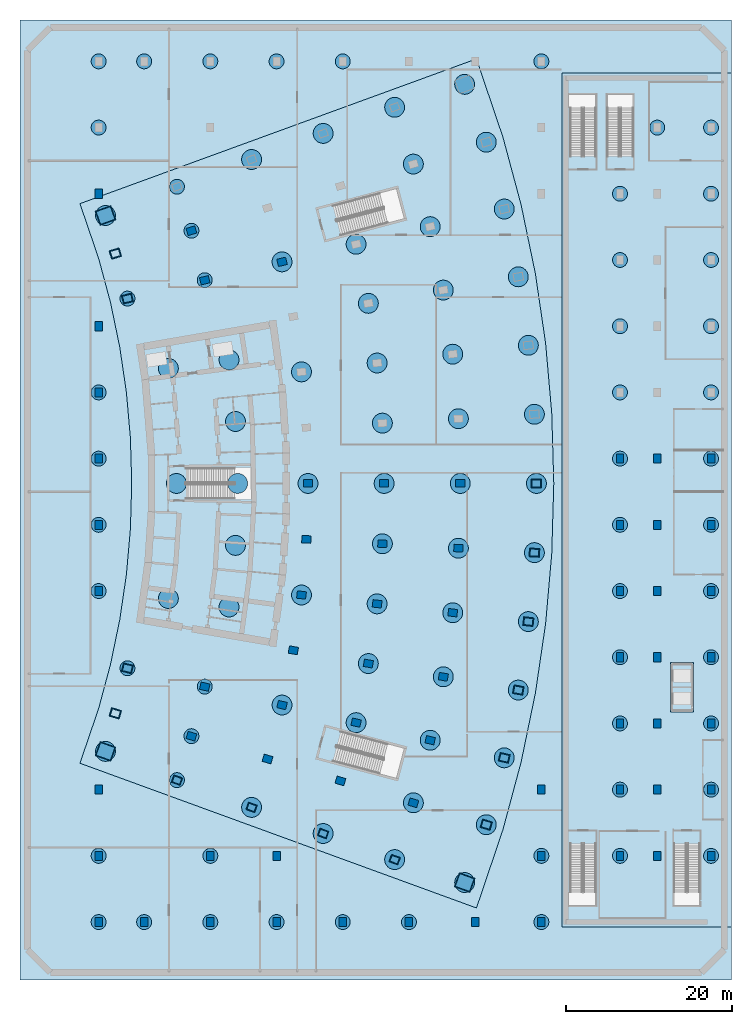
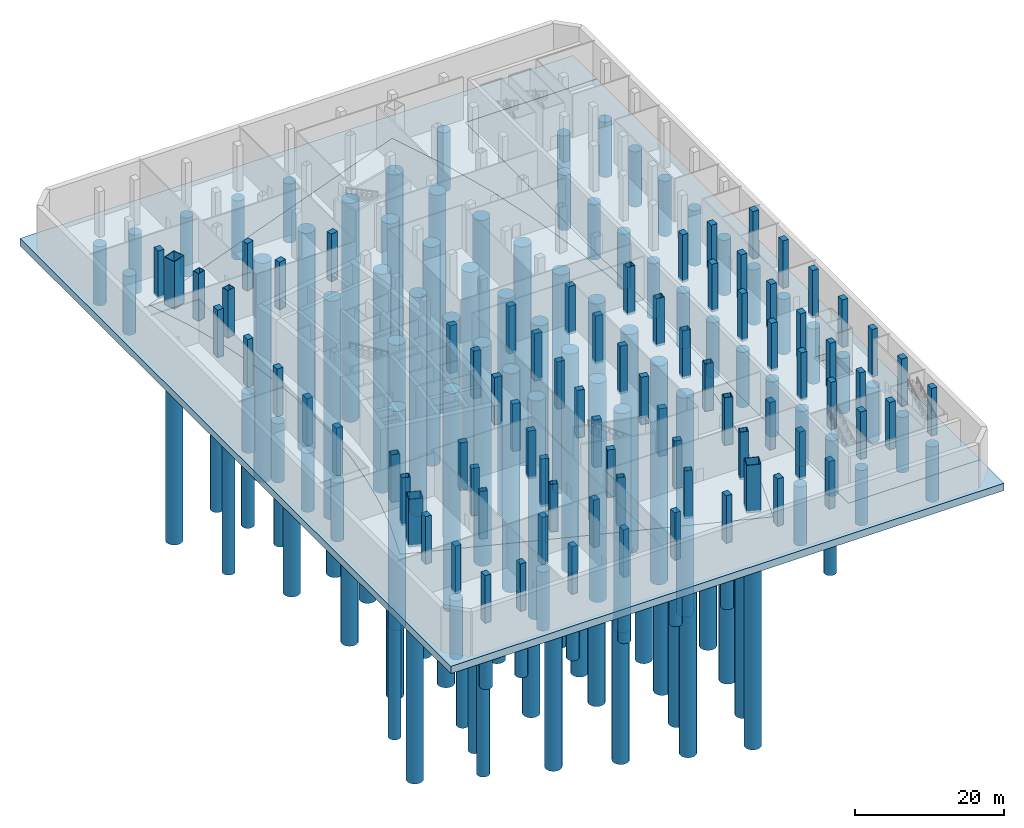
# One storey, part 1 of 19: 107 piles, 81 columns, 4 footings.
"""IFC4 building model written with IfcOpenShell, lengths in metres."""

from ifc_helpers import new_model, si_unit, direction, frame, origin, origin_2d, place, context, subcontext, project, spatial, polyline, rectangle, hollow_rectangle, circle, outline, extrude, material, layer, layer_set, material_profile, profile_set, type_object, element, save


model = new_model("IFC4")

# Units and contexts
model_context = context("Model", 3, precision=1e-05, world=origin(), true_north=direction((0.0, 1.0)))
body_context = subcontext(model_context, "Body", "Model", "MODEL_VIEW")
ifc_project = project(units=[si_unit("LENGTHUNIT", "METRE"), si_unit("AREAUNIT", "SQUARE_METRE"), si_unit("VOLUMEUNIT", "CUBIC_METRE"), si_unit("PLANEANGLEUNIT", "RADIAN"), si_unit("MASSUNIT", "GRAM", prefix="KILO")], contexts=[model_context])

# Site, building, storey
site_placement = place(None, origin())
site = spatial("IfcSite", under=ifc_project, at=site_placement, CompositionType="ELEMENT")
building_placement = place(site_placement, origin())
building = spatial("IfcBuilding", under=site, at=building_placement, Name="Alderwake Tower", CompositionType="ELEMENT")
storey_placement = place(building_placement, frame((0.0, 0.0, -14.0)))
storey = spatial("IfcBuildingStorey", under=building, at=storey_placement, Name="B2", CompositionType="ELEMENT", Elevation=-14.0)

# Piles
ifc_material_1 = material(Name="Concrete C40/50", Category="concrete")
ifc_material_profile_1 = material_profile(ifc_material_1, circle(Radius=0.89990234375, at=origin_2d()), Name="PILE 1800")
ifc_profile_set_1 = profile_set([ifc_material_profile_1], Name="Concrete C40/50")
pile_type_1 = type_object("IfcPileType", Name="Bored pile D1800", PredefinedType="BORED", material=ifc_profile_set_1)
for number, where, z_axis, x_axis, name in (
    (1, (13.982177734375, 38.6640625, -3.14990234375), (0.0, 0.0, -1.0), (1.0, 0.0, 0.0), "Caisson 3"),
    (2, (13.982177734375, 83.3359375, -3.14990234375), (0.0, 0.0, -1.0), (1.0, 0.0, 0.0), "Caisson 4"),
    (3, (19.965576171875, 25.1484375, -3.14990234375), (0.0, 0.0, -1.0), (1.0, 0.0, 0.0), "Caisson 8"),
    (4, (19.965576171875, 96.8515625, -3.14990234375), (0.0, 0.0, -1.0), (1.0, 0.0, 0.0), "Caisson 9"),
    (5, (21.714599609375, 30.46240234375, -3.14990234375), (0.0, 0.0, -1.0), (1.0, 0.0, 0.0), "Caisson 10"),
    (6, (21.714599609375, 91.53759765625, -3.14990234375), (0.0, 0.0, -1.0), (1.0, 0.0, 0.0), "Caisson 11"),
    (7, (23.322021484375, 36.444091796875, -3.14990234375), (0.0, 0.0, -1.0), (1.0, 0.0, 0.0), "Caisson 12"),
    (8, (23.322021484375, 85.555908203125, -3.14990234375), (0.0, 0.0, -1.0), (1.0, 0.0, 0.0), "Caisson 13"),
):
    element("IfcPile", number, at=place(storey_placement, frame(where, z_axis=z_axis, x_axis=x_axis)), inside=storey, type_object=pile_type_1, Name=name, PredefinedType="BORED", context=body_context, shape_type="SweptSolid", body=[
        extrude(circle(Radius=0.89990234375, at=origin_2d()), origin(), (0.0, 0.0, 1.0), 36.0),
    ])
for number, where, z_axis, x_axis, name in (
    (9, (73.5, 16.0, -1.949951171875), (0.0, 0.0, -1.0), (1.0, 0.0, 0.0), "Caisson 63"),
    (10, (73.5, 24.0, -1.949951171875), (0.0, 0.0, -1.0), (1.0, 0.0, 0.0), "Caisson 64"),
    (11, (73.5, 32.0, -1.949951171875), (0.0, 0.0, -1.0), (1.0, 0.0, 0.0), "Caisson 65"),
    (12, (73.5, 40.0, -1.949951171875), (0.0, 0.0, -1.0), (1.0, 0.0, 0.0), "Caisson 66"),
    (13, (73.5, 48.0, -1.949951171875), (0.0, 0.0, -1.0), (1.0, 0.0, 0.0), "Caisson 67"),
    (14, (73.5, 56.0, -1.949951171875), (0.0, 0.0, -1.0), (1.0, 0.0, 0.0), "Caisson 68"),
    (15, (73.5, 64.0, -1.949951171875), (0.0, 0.0, -1.0), (1.0, 0.0, 0.0), "Caisson 69"),
    (16, (73.5, 72.0, -1.949951171875), (0.0, 0.0, -1.0), (1.0, 0.0, 0.0), "Caisson 70"),
    (17, (73.5, 80.0, -1.949951171875), (0.0, 0.0, -1.0), (1.0, 0.0, 0.0), "Caisson 71"),
    (18, (73.5, 88.0, -1.949951171875), (0.0, 0.0, -1.0), (1.0, 0.0, 0.0), "Caisson 72"),
    (19, (73.5, 96.0, -1.949951171875), (0.0, 0.0, -1.0), (1.0, 0.0, 0.0), "Caisson 73"),
    (20, (78.0, 104.0, -1.949951171875), (0.0, 0.0, -1.0), (1.0, 0.0, 0.0), "Caisson 74"),
    (21, (84.5, 16.0, -1.949951171875), (0.0, 0.0, -1.0), (1.0, 0.0, 0.0), "Caisson 75"),
    (22, (84.5, 24.0, -1.949951171875), (0.0, 0.0, -1.0), (1.0, 0.0, 0.0), "Caisson 76"),
    (23, (84.5, 32.0, -1.949951171875), (0.0, 0.0, -1.0), (1.0, 0.0, 0.0), "Caisson 77"),
    (24, (84.5, 40.0, -1.949951171875), (0.0, 0.0, -1.0), (1.0, 0.0, 0.0), "Caisson 78"),
    (25, (84.5, 48.0, -1.949951171875), (0.0, 0.0, -1.0), (1.0, 0.0, 0.0), "Caisson 79"),
    (26, (84.5, 56.0, -1.949951171875), (0.0, 0.0, -1.0), (1.0, 0.0, 0.0), "Caisson 80"),
    (27, (84.5, 64.0, -1.949951171875), (0.0, 0.0, -1.0), (1.0, 0.0, 0.0), "Caisson 81"),
    (28, (84.5, 72.0, -1.949951171875), (0.0, 0.0, -1.0), (1.0, 0.0, 0.0), "Caisson 82"),
    (29, (84.5, 80.0, -1.949951171875), (0.0, 0.0, -1.0), (1.0, 0.0, 0.0), "Caisson 83"),
    (30, (84.5, 88.0, -1.949951171875), (0.0, 0.0, -1.0), (1.0, 0.0, 0.0), "Caisson 84"),
    (31, (84.5, 96.0, -1.949951171875), (0.0, 0.0, -1.0), (1.0, 0.0, 0.0), "Caisson 85"),
    (32, (84.5, 104.0, -1.949951171875), (0.0, 0.0, -1.0), (1.0, 0.0, 0.0), "Caisson 86"),
):
    element("IfcPile", number, at=place(storey_placement, frame(where, z_axis=z_axis, x_axis=x_axis)), inside=storey, type_object=pile_type_1, Name=name, PredefinedType="BORED", context=body_context, shape_type="SweptSolid", body=[
        extrude(circle(Radius=0.89990234375, at=origin_2d()), origin(), (0.0, 0.0, 1.0), 9.10009765625),
    ])
for number, where, z_axis, x_axis, name in (
    (33, (10.5, 8.0, -1.35009765625), (0.0, 0.0, -1.0), (1.0, 0.0, 0.0), "Caisson 87"),
    (34, (10.5, 16.0, -1.35009765625), (0.0, 0.0, -1.0), (1.0, 0.0, 0.0), "Caisson 88"),
    (35, (10.5, 48.0, -1.35009765625), (0.0, 0.0, -1.0), (1.0, 0.0, 0.0), "Caisson 89"),
    (36, (10.5, 56.0, -1.35009765625), (0.0, 0.0, -1.0), (1.0, 0.0, 0.0), "Caisson 90"),
    (37, (10.5, 64.0, -1.35009765625), (0.0, 0.0, -1.0), (1.0, 0.0, 0.0), "Caisson 91"),
    (38, (10.5, 72.0, -1.35009765625), (0.0, 0.0, -1.0), (1.0, 0.0, 0.0), "Caisson 92"),
    (39, (10.5, 104.0, -1.35009765625), (0.0, 0.0, -1.0), (1.0, 0.0, 0.0), "Caisson 93"),
    (40, (10.5, 112.0, -1.35009765625), (0.0, 0.0, -1.0), (1.0, 0.0, 0.0), "Caisson 94"),
    (41, (16.0, 8.0, -1.35009765625), (0.0, 0.0, -1.0), (1.0, 0.0, 0.0), "Caisson 95"),
    (42, (16.0, 112.0, -1.35009765625), (0.0, 0.0, -1.0), (1.0, 0.0, 0.0), "Caisson 96"),
    (43, (24.0, 8.0, -1.35009765625), (0.0, 0.0, -1.0), (1.0, 0.0, 0.0), "Caisson 97"),
    (44, (24.0, 16.0, -1.35009765625), (0.0, 0.0, -1.0), (1.0, 0.0, 0.0), "Caisson 98"),
    (45, (24.0, 112.0, -1.35009765625), (0.0, 0.0, -1.0), (1.0, 0.0, 0.0), "Caisson 99"),
    (46, (32.0, 8.0, -1.35009765625), (0.0, 0.0, -1.0), (1.0, 0.0, 0.0), "Caisson 100"),
    (47, (32.0, 112.0, -1.35009765625), (0.0, 0.0, -1.0), (1.0, 0.0, 0.0), "Caisson 101"),
    (48, (40.0, 8.0, -1.35009765625), (0.0, 0.0, -1.0), (1.0, 0.0, 0.0), "Caisson 102"),
    (49, (40.0, 112.0, -1.35009765625), (0.0, 0.0, -1.0), (1.0, 0.0, 0.0), "Caisson 103"),
    (50, (48.0, 8.0, -1.35009765625), (0.0, 0.0, -1.0), (1.0, 0.0, 0.0), "Caisson 104"),
    (51, (64.0, 8.0, -1.35009765625), (0.0, 0.0, -1.0), (1.0, 0.0, 0.0), "Caisson 105"),
    (52, (64.0, 16.0, -1.35009765625), (0.0, 0.0, -1.0), (1.0, 0.0, 0.0), "Caisson 106"),
    (53, (64.0, 112.0, -1.35009765625), (0.0, 0.0, -1.0), (1.0, 0.0, 0.0), "Caisson 107"),
):
    element("IfcPile", number, at=place(storey_placement, frame(where, z_axis=z_axis, x_axis=x_axis)), inside=storey, type_object=pile_type_1, Name=name, PredefinedType="BORED", context=body_context, shape_type="SweptSolid", body=[
        extrude(circle(Radius=0.89990234375, at=origin_2d()), origin(), (0.0, 0.0, 1.0), 9.699951171875),
    ])
ifc_material_2 = material(Name="Concrete C40/50", Category="concrete")
ifc_material_profile_2 = material_profile(ifc_material_2, circle(Radius=1.199951171875, at=origin_2d()), Name="PILE 2400")
ifc_profile_set_2 = profile_set([ifc_material_profile_2], Name="Concrete C40/50")
pile_type_2 = type_object("IfcPileType", Name="Bored pile D2400", PredefinedType="BORED", material=ifc_profile_set_2)
for number, where, z_axis, x_axis, name in (
    (54, (11.330810546875, 28.622802734375, -3.14990234375), (0.0, 0.0, -1.0), (1.0, 0.0, 0.0), "Caisson 1"),
    (55, (11.330810546875, 93.377197265625, -3.14990234375), (0.0, 0.0, -1.0), (1.0, 0.0, 0.0), "Caisson 2"),
    (56, (18.927978515625, 47.097412109375, -3.14990234375), (0.0, 0.0, -1.0), (1.0, 0.0, 0.0), "Caisson 5"),
    (57, (18.927978515625, 74.902587890625, -3.14990234375), (0.0, 0.0, -1.0), (1.0, 0.0, 0.0), "Caisson 6"),
    (58, (19.89990234375, 61.0, -3.14990234375), (0.0, 0.0, -1.0), (1.0, 0.0, 0.0), "Caisson 7"),
    (59, (26.255859375, 46.067626953125, -3.14990234375), (0.0, 0.0, -1.0), (1.0, 0.0, 0.0), "Caisson 14"),
    (60, (26.255859375, 75.932373046875, -3.14990234375), (0.0, 0.0, -1.0), (1.0, 0.0, 0.0), "Caisson 15"),
    (61, (27.038818359375, 53.515625, -3.14990234375), (0.0, 0.0, -1.0), (1.0, 0.0, 0.0), "Caisson 16"),
    (62, (27.038818359375, 68.484375, -3.14990234375), (0.0, 0.0, -1.0), (1.0, 0.0, 0.0), "Caisson 17"),
    (63, (27.300048828125, 61.0, -3.14990234375), (0.0, 0.0, -1.0), (1.0, 0.0, 0.0), "Caisson 18"),
    (64, (28.983642578125, 21.856689453125, -3.14990234375), (0.0, 0.0, -1.0), (1.0, 0.0, 0.0), "Caisson 19"),
    (65, (28.983642578125, 100.143310546875, -3.14990234375), (0.0, 0.0, -1.0), (1.0, 0.0, 0.0), "Caisson 20"),
    (66, (32.661865234375, 34.224609375, -3.14990234375), (0.0, 0.0, -1.0), (1.0, 0.0, 0.0), "Caisson 21"),
    (67, (32.661865234375, 87.775390625, -3.14990234375), (0.0, 0.0, -1.0), (1.0, 0.0, 0.0), "Caisson 22"),
    (68, (35.0126953125, 47.5205078125, -3.14990234375), (0.0, 0.0, -1.0), (1.0, 0.0, 0.0), "Caisson 23"),
    (69, (35.0126953125, 74.4794921875, -3.14990234375), (0.0, 0.0, -1.0), (1.0, 0.0, 0.0), "Caisson 24"),
    (70, (35.800048828125, 61.0, -3.14990234375), (0.0, 0.0, -1.0), (1.0, 0.0, 0.0), "Caisson 25"),
    (71, (37.6259765625, 18.701904296875, -3.14990234375), (0.0, 0.0, -1.0), (1.0, 0.0, 0.0), "Caisson 26"),
    (72, (37.6259765625, 103.298095703125, -3.14990234375), (0.0, 0.0, -1.0), (1.0, 0.0, 0.0), "Caisson 27"),
    (73, (41.612548828125, 32.097412109375, -3.14990234375), (0.0, 0.0, -1.0), (1.0, 0.0, 0.0), "Caisson 28"),
    (74, (41.612548828125, 89.902587890625, -3.14990234375), (0.0, 0.0, -1.0), (1.0, 0.0, 0.0), "Caisson 29"),
    (75, (43.0908203125, 39.236572265625, -3.14990234375), (0.0, 0.0, -1.0), (1.0, 0.0, 0.0), "Caisson 30"),
    (76, (43.0908203125, 82.763427734375, -3.14990234375), (0.0, 0.0, -1.0), (1.0, 0.0, 0.0), "Caisson 31"),
    (77, (44.150390625, 46.44970703125, -3.14990234375), (0.0, 0.0, -1.0), (1.0, 0.0, 0.0), "Caisson 32"),
    (78, (44.150390625, 75.55029296875, -3.14990234375), (0.0, 0.0, -1.0), (1.0, 0.0, 0.0), "Caisson 33"),
    (79, (44.787353515625, 53.71240234375, -3.14990234375), (0.0, 0.0, -1.0), (1.0, 0.0, 0.0), "Caisson 34"),
    (80, (44.787353515625, 68.28759765625, -3.14990234375), (0.0, 0.0, -1.0), (1.0, 0.0, 0.0), "Caisson 35"),
    (81, (45.0, 61.0, -3.14990234375), (0.0, 0.0, -1.0), (1.0, 0.0, 0.0), "Caisson 36"),
    (82, (46.268310546875, 15.547119140625, -3.14990234375), (0.0, 0.0, -1.0), (1.0, 0.0, 0.0), "Caisson 37"),
    (83, (46.268310546875, 106.452880859375, -3.14990234375), (0.0, 0.0, -1.0), (1.0, 0.0, 0.0), "Caisson 38"),
    (84, (48.5322265625, 22.410888671875, -3.14990234375), (0.0, 0.0, -1.0), (1.0, 0.0, 0.0), "Caisson 39"),
    (85, (48.5322265625, 99.589111328125, -3.14990234375), (0.0, 0.0, -1.0), (1.0, 0.0, 0.0), "Caisson 40"),
    (86, (50.563232421875, 29.969970703125, -3.14990234375), (0.0, 0.0, -1.0), (1.0, 0.0, 0.0), "Caisson 41"),
    (87, (50.563232421875, 92.030029296875, -3.14990234375), (0.0, 0.0, -1.0), (1.0, 0.0, 0.0), "Caisson 42"),
    (88, (52.150390625, 37.634765625, -3.14990234375), (0.0, 0.0, -1.0), (1.0, 0.0, 0.0), "Caisson 43"),
    (89, (52.150390625, 84.365234375, -3.14990234375), (0.0, 0.0, -1.0), (1.0, 0.0, 0.0), "Caisson 44"),
    (90, (53.28759765625, 45.37890625, -3.14990234375), (0.0, 0.0, -1.0), (1.0, 0.0, 0.0), "Caisson 45"),
    (91, (53.28759765625, 76.62109375, -3.14990234375), (0.0, 0.0, -1.0), (1.0, 0.0, 0.0), "Caisson 46"),
    (92, (53.9716796875, 53.176025390625, -3.14990234375), (0.0, 0.0, -1.0), (1.0, 0.0, 0.0), "Caisson 47"),
    (93, (53.9716796875, 68.823974609375, -3.14990234375), (0.0, 0.0, -1.0), (1.0, 0.0, 0.0), "Caisson 48"),
    (94, (54.199951171875, 61.0, -3.14990234375), (0.0, 0.0, -1.0), (1.0, 0.0, 0.0), "Caisson 49"),
    (95, (54.7294921875, 12.77587890625, -3.14990234375), (0.0, 0.0, -1.0), (1.0, 0.0, 0.0), "Caisson 50"),
    (96, (54.7294921875, 109.22412109375, -3.14990234375), (0.0, 0.0, -1.0), (1.0, 0.0, 0.0), "Caisson 51"),
    (97, (57.343505859375, 19.765380859375, -3.14990234375), (0.0, 0.0, -1.0), (1.0, 0.0, 0.0), "Caisson 52"),
    (98, (57.343505859375, 102.234619140625, -3.14990234375), (0.0, 0.0, -1.0), (1.0, 0.0, 0.0), "Caisson 53"),
    (99, (59.513916015625, 27.8427734375, -3.14990234375), (0.0, 0.0, -1.0), (1.0, 0.0, 0.0), "Caisson 54"),
    (100, (59.513916015625, 94.1572265625, -3.14990234375), (0.0, 0.0, -1.0), (1.0, 0.0, 0.0), "Caisson 55"),
    (101, (61.209716796875, 36.032958984375, -3.14990234375), (0.0, 0.0, -1.0), (1.0, 0.0, 0.0), "Caisson 56"),
    (102, (61.209716796875, 85.967041015625, -3.14990234375), (0.0, 0.0, -1.0), (1.0, 0.0, 0.0), "Caisson 57"),
    (103, (62.42529296875, 44.307861328125, -3.14990234375), (0.0, 0.0, -1.0), (1.0, 0.0, 0.0), "Caisson 58"),
    (104, (62.42529296875, 77.692138671875, -3.14990234375), (0.0, 0.0, -1.0), (1.0, 0.0, 0.0), "Caisson 59"),
    (105, (63.156005859375, 52.6396484375, -3.14990234375), (0.0, 0.0, -1.0), (1.0, 0.0, 0.0), "Caisson 60"),
    (106, (63.156005859375, 69.3603515625, -3.14990234375), (0.0, 0.0, -1.0), (1.0, 0.0, 0.0), "Caisson 61"),
    (107, (63.39990234375, 61.0, -3.14990234375), (0.0, 0.0, -1.0), (1.0, 0.0, 0.0), "Caisson 62"),
):
    element("IfcPile", number, at=place(storey_placement, frame(where, z_axis=z_axis, x_axis=x_axis)), inside=storey, type_object=pile_type_2, Name=name, PredefinedType="BORED", context=body_context, shape_type="SweptSolid", body=[
        extrude(circle(Radius=1.199951171875, at=origin_2d()), origin(), (0.0, 0.0, 1.0), 36.0),
    ])

# Footings
ifc_material_3 = material(Name="Concrete C50/60", Category="concrete")
ifc_layer_1 = layer(ifc_material_3, 0.800048828125)
ifc_layer_set_1 = layer_set([ifc_layer_1], Name="Lift pit base 800")
footing_type_1 = type_object("IfcFootingType", Name="Lift pit base 800", PredefinedType="PAD_FOOTING", material=ifc_layer_set_1)
footing_1_placement = place(storey_placement, frame((0.0, 0.0, -2.10009765625)))
element("IfcFooting", 108, at=footing_1_placement, inside=storey, type_object=footing_type_1, Name="Lift pit base", PredefinedType="PAD_FOOTING", context=body_context, shape_type="SweptSolid", body=[
    extrude(outline(polyline([(82.39990234375, 33.39990234375), (82.39990234375, 39.35009765625), (79.60009765625, 39.35009765625), (79.60009765625, 33.39990234375), (82.39990234375, 33.39990234375)])), origin(), (0.0, 0.0, 1.0), 0.800048828125),
])
ifc_material_4 = material(Name="Concrete C50/60", Category="concrete")
ifc_layer_2 = layer(ifc_material_4, 1.199951171875)
ifc_layer_set_2 = layer_set([ifc_layer_2], Name="Raft under podium 1200")
footing_type_2 = type_object("IfcFootingType", Name="Raft under podium 1200", PredefinedType="PAD_FOOTING", material=ifc_layer_set_2)
footing_2_placement = place(storey_placement, frame((0.0, 0.0, -1.5)))
element("IfcFooting", 109, at=footing_2_placement, inside=storey, type_object=footing_type_2, Name="Raft under podium", PredefinedType="PAD_FOOTING", context=body_context, shape_type="SweptSolid", body=[
    extrude(outline(polyline([(1.0, 117.0), (87.0, 117.0), (87.0, 110.60009765625), (66.5, 110.60009765625), (66.5, 7.39990234375), (87.0, 7.39990234375), (87.0, 1.0), (1.0, 1.0), (1.0, 117.0)]), holes=[polyline([(59.35498046875, 19.16162109375), (61.55712890625, 27.357177734375), (63.277587890625, 35.667236328125), (64.510986328125, 44.0634765625), (65.25244140625, 52.517333984375), (65.5, 61.0), (65.25244140625, 69.482666015625), (64.510986328125, 77.9365234375), (63.277587890625, 86.332763671875), (61.55712890625, 94.642822265625), (59.35498046875, 102.83837890625), (56.156982421875, 112.298095703125), (8.2451171875, 94.808837890625), (10.5087890625, 88.17333984375), (11.939208984375, 82.8505859375), (13.056640625, 77.453125), (13.857666015625, 72.0), (14.33935546875, 66.509521484375), (14.5, 61.0), (14.33935546875, 55.490478515625), (13.857666015625, 50.0), (13.056640625, 44.546875), (11.939208984375, 39.1494140625), (10.5087890625, 33.82666015625), (8.2451171875, 27.191162109375), (56.156982421875, 9.701904296875), (59.35498046875, 19.16162109375)])]), origin(), (0.0, 0.0, 1.0), 1.199951171875),
])
ifc_material_5 = material(Name="Concrete C50/60", Category="concrete")
ifc_layer_3 = layer(ifc_material_5, 1.800048828125)
ifc_layer_set_3 = layer_set([ifc_layer_3], Name="Raft under station box 1800")
footing_type_3 = type_object("IfcFootingType", Name="Raft under station box 1800", PredefinedType="PILE_CAP", material=ifc_layer_set_3)
footing_3_placement = place(storey_placement, frame((0.0, 0.0, -2.10009765625)))
element("IfcFooting", 110, at=footing_3_placement, inside=storey, type_object=footing_type_3, Name="Raft under station box", PredefinedType="PILE_CAP", context=body_context, shape_type="SweptSolid", body=[
    extrude(outline(polyline([(66.5, 7.39990234375), (66.5, 110.60009765625), (87.0, 110.60009765625), (87.0, 7.39990234375), (66.5, 7.39990234375)]), holes=[polyline([(82.39990234375, 39.35009765625), (79.60009765625, 39.35009765625), (79.60009765625, 33.39990234375), (82.39990234375, 33.39990234375), (82.39990234375, 39.35009765625)])]), origin(), (0.0, 0.0, 1.0), 1.800048828125),
])
ifc_material_6 = material(Name="Concrete C50/60", Category="concrete")
ifc_layer_4 = layer(ifc_material_6, 3.0)
ifc_layer_set_4 = layer_set([ifc_layer_4], Name="Raft under tower 3000")
footing_type_4 = type_object("IfcFootingType", Name="Raft under tower 3000", PredefinedType="PILE_CAP", material=ifc_layer_set_4)
footing_4_placement = place(storey_placement, frame((0.0, 0.0, -3.300048828125)))
element("IfcFooting", 111, at=footing_4_placement, inside=storey, type_object=footing_type_4, Name="Raft under tower", PredefinedType="PILE_CAP", context=body_context, shape_type="SweptSolid", body=[
    extrude(outline(polyline([(8.2451171875, 27.191162109375), (56.156982421875, 9.701904296875), (59.35498046875, 19.16162109375), (61.55712890625, 27.357177734375), (63.277587890625, 35.667236328125), (64.510986328125, 44.0634765625), (65.25244140625, 52.517333984375), (65.5, 61.0), (65.25244140625, 69.482666015625), (64.510986328125, 77.9365234375), (63.277587890625, 86.332763671875), (61.55712890625, 94.642822265625), (59.35498046875, 102.83837890625), (56.156982421875, 112.298095703125), (8.2451171875, 94.808837890625), (10.5087890625, 88.17333984375), (11.939208984375, 82.8505859375), (13.056640625, 77.453125), (13.857666015625, 72.0), (14.33935546875, 66.509521484375), (14.5, 61.0), (14.33935546875, 55.490478515625), (13.857666015625, 50.0), (13.056640625, 44.546875), (11.939208984375, 39.1494140625), (10.5087890625, 33.82666015625), (8.2451171875, 27.191162109375)])), origin(), (0.0, 0.0, 1.0), 3.0),
])

# Columns
ifc_material_7 = material(Name="Steel ASTM A572 Grade 50 concrete filled C70/85", Category="concrete")
ifc_material_profile_3 = material_profile(ifc_material_7, hollow_rectangle(XDim=0.89990234375, YDim=1.10009765625, WallThickness=0.06005859375, at=origin_2d()), Name="BOX 1100X900X60")
ifc_profile_set_3 = profile_set([ifc_material_profile_3], Name="Steel ASTM A572 Grade 50 concrete filled C70/85")
column_type_1 = type_object("IfcColumnType", Name="End column Z1", PredefinedType="COLUMN", material=ifc_profile_set_3)
for number, where, z_axis, x_axis, name in (
    (112, (19.965576171875, 25.1484375, -0.300048828125), (0.0, 0.0, 1.0), (0.337584879279, 0.9412950915, 0.0), "Column R01-C1"),
    (113, (28.983642578125, 21.856689453125, -0.300048828125), (0.0, 0.0, 1.0), (0.338026774049, 0.941136493834, 0.0), "Column R01-C2"),
    (114, (37.6259765625, 18.701904296875, -0.300048828125), (0.0, 0.0, 1.0), (0.338384834858, 0.941007812687, 0.0), "Column R01-C3"),
    (115, (46.268310546875, 15.547119140625, -0.300048828125), (0.0, 0.0, 1.0), (0.338695224082, 0.940896139425, 0.0), "Column R01-C4"),
):
    element("IfcColumn", number, at=place(storey_placement, frame(where, z_axis=z_axis, x_axis=x_axis)), inside=storey, type_object=column_type_1, Name=name, PredefinedType="COLUMN", context=body_context, shape_type="SweptSolid", body=[
        extrude(hollow_rectangle(XDim=0.89990234375, YDim=1.10009765625, WallThickness=0.06005859375, at=origin_2d()), origin(), (0.0, 0.0, 1.0), 7.800048828125),
    ])
ifc_material_8 = material(Name="Concrete C70/85", Category="concrete")
ifc_material_profile_4 = material_profile(ifc_material_8, rectangle(XDim=0.89990234375, YDim=1.10009765625, at=origin_2d()), Name="RC 1100X900")
ifc_profile_set_4 = profile_set([ifc_material_profile_4], Name="Concrete C70/85")
column_type_2 = type_object("IfcColumnType", Name="Interior column Z1", PredefinedType="COLUMN", material=ifc_profile_set_4)
for number, where, z_axis, x_axis, name in (
    (116, (21.714599609375, 30.46240234375, -0.300048828125), (0.0, 0.0, 1.0), (0.287549418125, 0.957765802342, 0.0), "Column R02-C1"),
    (117, (30.9091796875, 27.701904296875, -0.300048828125), (0.0, 0.0, 1.0), (0.287549418125, 0.957765802342, 0.0), "Column R02-C2"),
    (118, (39.720703125, 25.056396484375, -0.300048828125), (0.0, 0.0, 1.0), (0.287549418125, 0.957765802342, 0.0), "Column R02-C3"),
    (119, (48.5322265625, 22.410888671875, -0.300048828125), (0.0, 0.0, 1.0), (0.287549418125, 0.957765802342, 0.0), "Column R02-C4"),
    (120, (23.322021484375, 36.444091796875, -0.300048828125), (0.0, 0.0, 1.0), (0.231221547198, 0.972901123502, 0.0), "Column R03-C1"),
    (121, (32.661865234375, 34.224609375, -0.300048828125), (0.0, 0.0, 1.0), (0.231221547198, 0.972901123502, 0.0), "Column R03-C2"),
    (122, (41.612548828125, 32.097412109375, -0.300048828125), (0.0, 0.0, 1.0), (0.231221547198, 0.972901123502, 0.0), "Column R03-C3"),
    (123, (50.563232421875, 29.969970703125, -0.300048828125), (0.0, 0.0, 1.0), (0.231221547198, 0.972901123502, 0.0), "Column R03-C4"),
    (124, (34.03125, 40.83837890625, -0.300048828125), (0.0, 0.0, 1.0), (0.174108800747, 0.984726421654, 0.0), "Column R04-C2"),
    (125, (43.0908203125, 39.236572265625, -0.300048828125), (0.0, 0.0, 1.0), (0.174108800747, 0.984726421654, 0.0), "Column R04-C3"),
    (126, (52.150390625, 37.634765625, -0.300048828125), (0.0, 0.0, 1.0), (0.174108800747, 0.984726421654, 0.0), "Column R04-C4"),
    (127, (35.0126953125, 47.5205078125, -0.300048828125), (0.0, 0.0, 1.0), (0.116402054316, 0.993202175668, 0.0), "Column R05-C2"),
    (128, (44.150390625, 46.44970703125, -0.300048828125), (0.0, 0.0, 1.0), (0.116402054316, 0.993202175668, 0.0), "Column R05-C3"),
    (129, (53.28759765625, 45.37890625, -0.300048828125), (0.0, 0.0, 1.0), (0.116402054316, 0.993202175668, 0.0), "Column R05-C4"),
    (130, (35.60302734375, 54.248779296875, -0.300048828125), (0.0, 0.0, 1.0), (0.058301061284, 0.998299046505, 0.0), "Column R06-C2"),
    (131, (44.787353515625, 53.71240234375, -0.300048828125), (0.0, 0.0, 1.0), (0.058299318924, 0.998299148258, 0.0), "Column R06-C3"),
    (132, (53.9716796875, 53.176025390625, -0.300048828125), (0.0, 0.0, 1.0), (0.058301061284, 0.998299046505, 0.0), "Column R06-C4"),
    (133, (35.800048828125, 61.0, -0.300048828125), (0.0, 0.0, 1.0), (0.0, 1.0, 0.0), "Column R07-C2"),
    (134, (45.0, 61.0, -0.300048828125), (0.0, 0.0, 1.0), (0.0, 1.0, 0.0), "Column R07-C3"),
    (135, (54.199951171875, 61.0, -0.300048828125), (0.0, 0.0, 1.0), (0.0, 1.0, 0.0), "Column R07-C4"),
    (136, (23.322021484375, 85.555908203125, -0.300048828125), (0.0, 0.0, 1.0), (-0.231221547198, 0.972901123502, 0.0), "Column R11-C1"),
    (137, (32.661865234375, 87.775390625, -0.300048828125), (0.0, 0.0, 1.0), (-0.231221547198, 0.972901123502, 0.0), "Column R11-C2"),
    (138, (21.714599609375, 91.53759765625, -0.300048828125), (0.0, 0.0, 1.0), (-0.287549418125, 0.957765802342, 0.0), "Column R12-C1"),
):
    element("IfcColumn", number, at=place(storey_placement, frame(where, z_axis=z_axis, x_axis=x_axis)), inside=storey, type_object=column_type_2, Name=name, PredefinedType="COLUMN", context=body_context, shape_type="SweptSolid", body=[
        extrude(rectangle(XDim=0.89990234375, YDim=1.10009765625, at=origin_2d()), origin(), (0.0, 0.0, 1.0), 7.800048828125),
    ])
ifc_material_9 = material(Name="Steel ASTM A572 Grade 50 concrete filled C70/85", Category="concrete")
ifc_material_profile_5 = material_profile(ifc_material_9, hollow_rectangle(XDim=1.800048828125, YDim=2.0, WallThickness=0.090087890625, at=origin_2d()), Name="BOX 2000X1800X90")
ifc_profile_set_5 = profile_set([ifc_material_profile_5], Name="Steel ASTM A572 Grade 50 concrete filled C70/85")
column_type_3 = type_object("IfcColumnType", Name="Mega column Z1", PredefinedType="COLUMN", material=ifc_profile_set_5)
for number, where, z_axis, x_axis, name in (
    (139, (11.330810546875, 28.622802734375, -0.300048828125), (0.0, 0.0, 1.0), (0.334130947791, 0.942526662609, 0.0), "Column R01-C0"),
    (140, (54.7294921875, 12.77587890625, -0.300048828125), (0.0, 0.0, 1.0), (0.336995022772, 0.941506428351, 0.0), "Column R01-C5"),
    (141, (11.330810546875, 93.377197265625, -0.300048828125), (0.0, 0.0, 1.0), (-0.334130947791, 0.942526662609, 0.0), "Column R13-C0"),
):
    element("IfcColumn", number, at=place(storey_placement, frame(where, z_axis=z_axis, x_axis=x_axis)), inside=storey, type_object=column_type_3, Name=name, PredefinedType="COLUMN", context=body_context, shape_type="SweptSolid", body=[
        extrude(hollow_rectangle(XDim=1.800048828125, YDim=2.0, WallThickness=0.090087890625, at=origin_2d()), origin(), (0.0, 0.0, 1.0), 7.800048828125),
    ])
ifc_material_10 = material(Name="Steel ASTM A572 Grade 50 concrete filled C70/85", Category="concrete")
ifc_material_profile_6 = material_profile(ifc_material_10, hollow_rectangle(XDim=1.0, YDim=1.199951171875, WallThickness=0.06005859375, at=origin_2d()), Name="BOX 1200X1000X60")
ifc_profile_set_6 = profile_set([ifc_material_profile_6], Name="Steel ASTM A572 Grade 50 concrete filled C70/85")
column_type_4 = type_object("IfcColumnType", Name="Perimeter column Z1", PredefinedType="COLUMN", material=ifc_profile_set_6)
for number, where, z_axis, x_axis, name in (
    (142, (12.520263671875, 33.222900390625, -0.300048828125), (0.0, 0.0, 1.0), (0.287549418125, 0.957765802342, 0.0), "Column R02-C0"),
    (143, (57.343505859375, 19.765380859375, -0.300048828125), (0.0, 0.0, 1.0), (0.287549418125, 0.957765802342, 0.0), "Column R02-C5"),
    (144, (13.982177734375, 38.6640625, -0.300048828125), (0.0, 0.0, 1.0), (0.231221547198, 0.972901123502, 0.0), "Column R03-C0"),
    (145, (59.513916015625, 27.8427734375, -0.300048828125), (0.0, 0.0, 1.0), (0.231221547198, 0.972901123502, 0.0), "Column R03-C5"),
    (146, (61.209716796875, 36.032958984375, -0.300048828125), (0.0, 0.0, 1.0), (0.174108800747, 0.984726421654, 0.0), "Column R04-C5"),
    (147, (62.42529296875, 44.307861328125, -0.300048828125), (0.0, 0.0, 1.0), (0.116402054316, 0.993202175668, 0.0), "Column R05-C5"),
    (148, (63.156005859375, 52.6396484375, -0.300048828125), (0.0, 0.0, 1.0), (0.058301061284, 0.998299046505, 0.0), "Column R06-C5"),
    (149, (63.39990234375, 61.0, -0.300048828125), (0.0, 0.0, 1.0), (0.0, 1.0, 0.0), "Column R07-C5"),
    (150, (13.982177734375, 83.3359375, -0.300048828125), (0.0, 0.0, 1.0), (-0.231221547198, 0.972901123502, 0.0), "Column R11-C0"),
    (151, (12.520263671875, 88.777099609375, -0.300048828125), (0.0, 0.0, 1.0), (-0.287549418125, 0.957765802342, 0.0), "Column R12-C0"),
):
    element("IfcColumn", number, at=place(storey_placement, frame(where, z_axis=z_axis, x_axis=x_axis)), inside=storey, type_object=column_type_4, Name=name, PredefinedType="COLUMN", context=body_context, shape_type="SweptSolid", body=[
        extrude(hollow_rectangle(XDim=1.0, YDim=1.199951171875, WallThickness=0.06005859375, at=origin_2d()), origin(), (0.0, 0.0, 1.0), 7.800048828125),
    ])
ifc_material_11 = material(Name="Concrete C70/85", Category="concrete")
ifc_material_profile_7 = material_profile(ifc_material_11, rectangle(XDim=0.89990234375, YDim=1.10009765625, at=origin_2d()), Name="RC 1100X900")
ifc_profile_set_7 = profile_set([ifc_material_profile_7], Name="Concrete C70/85")
column_type_5 = type_object("IfcColumnType", Name="Podium column", PredefinedType="COLUMN", material=ifc_profile_set_7)
for number, where, z_axis, x_axis, name in (
    (152, (10.5, 8.0, -0.300048828125), (0.0, 0.0, 1.0), (1.0, 0.0, 0.0), "Column XW-YB"),
    (153, (10.5, 16.0, -0.300048828125), (0.0, 0.0, 1.0), (1.0, 0.0, 0.0), "Column XW-YC"),
    (154, (10.5, 24.0, -0.300048828125), (0.0, 0.0, 1.0), (1.0, 0.0, 0.0), "Column XW-YD"),
    (155, (10.5, 48.0, -0.300048828125), (0.0, 0.0, 1.0), (1.0, 0.0, 0.0), "Column XW-YG"),
    (156, (10.5, 56.0, -0.300048828125), (0.0, 0.0, 1.0), (1.0, 0.0, 0.0), "Column XW-YH"),
    (157, (10.5, 64.0, -0.300048828125), (0.0, 0.0, 1.0), (1.0, 0.0, 0.0), "Column XW-YI"),
    (158, (10.5, 72.0, -0.300048828125), (0.0, 0.0, 1.0), (1.0, 0.0, 0.0), "Column XW-YJ"),
    (159, (10.5, 80.0, -0.300048828125), (0.0, 0.0, 1.0), (1.0, 0.0, 0.0), "Column XW-YK"),
    (160, (10.5, 96.0, -0.300048828125), (0.0, 0.0, 1.0), (1.0, 0.0, 0.0), "Column XW-YM"),
    (161, (16.0, 8.0, -0.300048828125), (0.0, 0.0, 1.0), (1.0, 0.0, 0.0), "Column X03-YB"),
    (162, (24.0, 8.0, -0.300048828125), (0.0, 0.0, 1.0), (1.0, 0.0, 0.0), "Column X04-YB"),
    (163, (24.0, 16.0, -0.300048828125), (0.0, 0.0, 1.0), (1.0, 0.0, 0.0), "Column X04-YC"),
    (164, (32.0, 8.0, -0.300048828125), (0.0, 0.0, 1.0), (1.0, 0.0, 0.0), "Column X05-YB"),
    (165, (32.0, 16.0, -0.300048828125), (0.0, 0.0, 1.0), (1.0, 0.0, 0.0), "Column X05-YC"),
    (166, (40.0, 8.0, -0.300048828125), (0.0, 0.0, 1.0), (1.0, 0.0, 0.0), "Column X06-YB"),
    (167, (48.0, 8.0, -0.300048828125), (0.0, 0.0, 1.0), (1.0, 0.0, 0.0), "Column X07-YB"),
    (168, (56.0, 8.0, -0.300048828125), (0.0, 0.0, 1.0), (1.0, 0.0, 0.0), "Column X08-YB"),
    (169, (64.0, 8.0, -0.300048828125), (0.0, 0.0, 1.0), (1.0, 0.0, 0.0), "Column X09-YB"),
    (170, (64.0, 16.0, -0.300048828125), (0.0, 0.0, 1.0), (1.0, 0.0, 0.0), "Column X09-YC"),
    (171, (64.0, 24.0, -0.300048828125), (0.0, 0.0, 1.0), (1.0, 0.0, 0.0), "Column X09-YD"),
    (172, (73.5, 16.0, -0.300048828125), (0.0, 0.0, 1.0), (1.0, 0.0, 0.0), "Column XS1-YC"),
    (173, (73.5, 24.0, -0.300048828125), (0.0, 0.0, 1.0), (1.0, 0.0, 0.0), "Column XS1-YD"),
    (174, (73.5, 32.0, -0.300048828125), (0.0, 0.0, 1.0), (1.0, 0.0, 0.0), "Column XS1-YE"),
    (175, (73.5, 40.0, -0.300048828125), (0.0, 0.0, 1.0), (1.0, 0.0, 0.0), "Column XS1-YF"),
    (176, (73.5, 48.0, -0.300048828125), (0.0, 0.0, 1.0), (1.0, 0.0, 0.0), "Column XS1-YG"),
    (177, (73.5, 56.0, -0.300048828125), (0.0, 0.0, 1.0), (1.0, 0.0, 0.0), "Column XS1-YH"),
    (178, (73.5, 64.0, -0.300048828125), (0.0, 0.0, 1.0), (1.0, 0.0, 0.0), "Column XS1-YI"),
    (179, (78.0, 16.0, -0.300048828125), (0.0, 0.0, 1.0), (1.0, 0.0, 0.0), "Column XS2-YC"),
    (180, (78.0, 24.0, -0.300048828125), (0.0, 0.0, 1.0), (1.0, 0.0, 0.0), "Column XS2-YD"),
    (181, (78.0, 32.0, -0.300048828125), (0.0, 0.0, 1.0), (1.0, 0.0, 0.0), "Column XS2-YE"),
    (182, (78.0, 40.0, -0.300048828125), (0.0, 0.0, 1.0), (1.0, 0.0, 0.0), "Column XS2-YF"),
    (183, (78.0, 48.0, -0.300048828125), (0.0, 0.0, 1.0), (1.0, 0.0, 0.0), "Column XS2-YG"),
    (184, (78.0, 56.0, -0.300048828125), (0.0, 0.0, 1.0), (1.0, 0.0, 0.0), "Column XS2-YH"),
    (185, (78.0, 64.0, -0.300048828125), (0.0, 0.0, 1.0), (1.0, 0.0, 0.0), "Column XS2-YI"),
    (186, (84.5, 16.0, -0.300048828125), (0.0, 0.0, 1.0), (1.0, 0.0, 0.0), "Column XE-YC"),
    (187, (84.5, 24.0, -0.300048828125), (0.0, 0.0, 1.0), (1.0, 0.0, 0.0), "Column XE-YD"),
    (188, (84.5, 32.0, -0.300048828125), (0.0, 0.0, 1.0), (1.0, 0.0, 0.0), "Column XE-YE"),
    (189, (84.5, 40.0, -0.300048828125), (0.0, 0.0, 1.0), (1.0, 0.0, 0.0), "Column XE-YF"),
    (190, (84.5, 48.0, -0.300048828125), (0.0, 0.0, 1.0), (1.0, 0.0, 0.0), "Column XE-YG"),
    (191, (84.5, 56.0, -0.300048828125), (0.0, 0.0, 1.0), (1.0, 0.0, 0.0), "Column XE-YH"),
    (192, (84.5, 64.0, -0.300048828125), (0.0, 0.0, 1.0), (1.0, 0.0, 0.0), "Column XE-YI"),
):
    element("IfcColumn", number, at=place(storey_placement, frame(where, z_axis=z_axis, x_axis=x_axis)), inside=storey, type_object=column_type_5, Name=name, PredefinedType="COLUMN", context=body_context, shape_type="SweptSolid", body=[
        extrude(rectangle(XDim=0.89990234375, YDim=1.10009765625, at=origin_2d()), origin(), (0.0, 0.0, 1.0), 7.800048828125),
    ])

save(model, "model.ifc")
